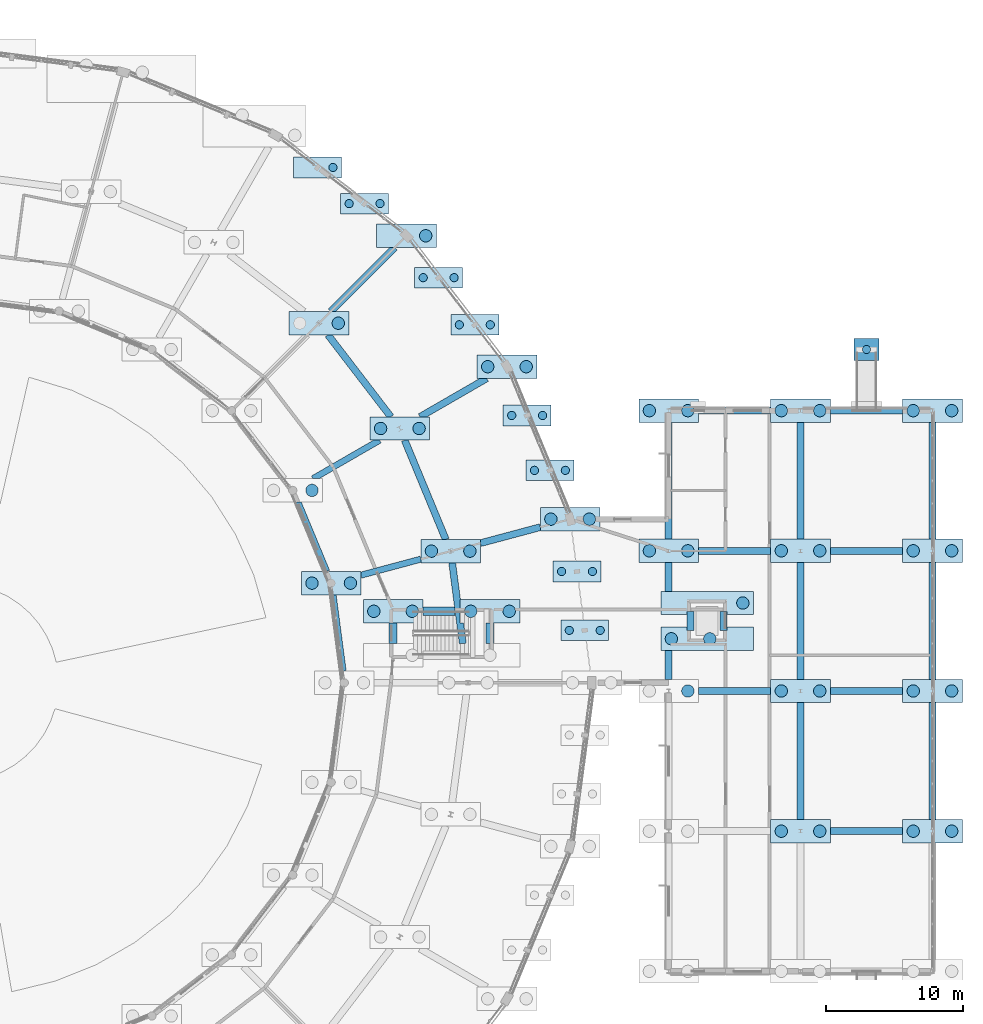
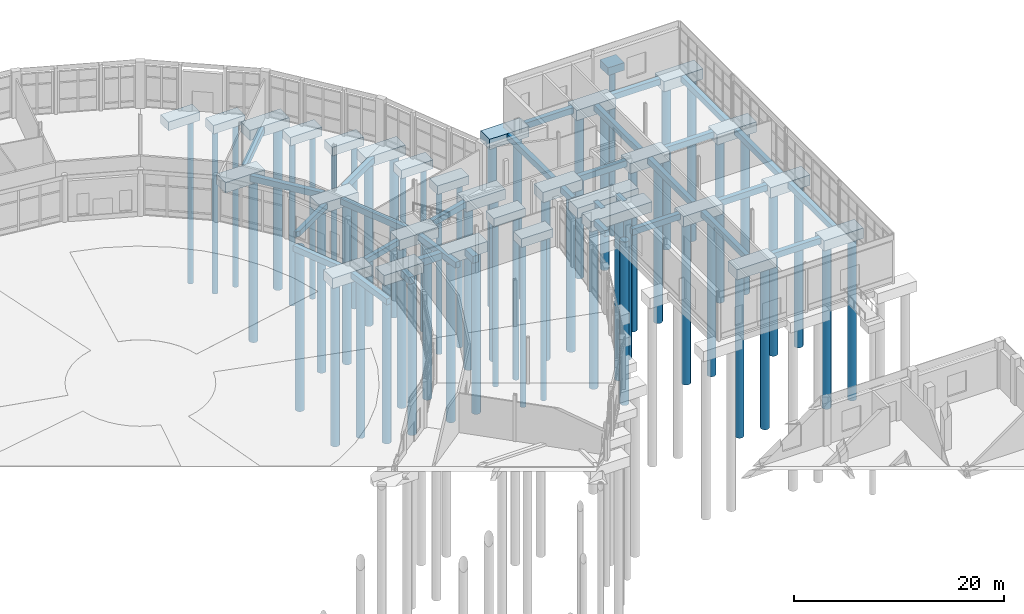
# One storey, part 5 of 137: 61 footings, 57 piles.
"""IFC4 building model written with IfcOpenShell, lengths in metres."""

import ifcopenshell
import ifcopenshell.guid

model = None  # the IFC model being written
_history = None  # IfcOwnerHistory: only IFC2X3 demands one
_inside = {}  # id of a spatial element -> (the spatial element, [elements in it])
_under = {}  # id of a project, library or spatial element -> (it, [spatial elements below it])
_declared = {}  # id of a project -> (the project, [libraries it declares])
_typed = {}  # id of a type object -> (the type object, [elements of that type])
_made_of = {}  # id of a material, layer set ... -> (it, [elements and type objects made of it])


def new_model(schema):
    """Start an empty IFC model of exactly this schema.

    Asked for "IFC4X3", IfcOpenShell would pick the latest addendum, in which some entities
    have other attributes; the version numbers below select the first issue.
    IFC2X3 requires an IfcOwnerHistory on every rooted entity: one is made here for all.
    """
    global model, _history
    if schema == "IFC4X3":
        model = ifcopenshell.file(schema_version=(4, 3, 0, 0))
    else:
        model = ifcopenshell.file(schema=schema)
    _inside.clear()
    _under.clear()
    _declared.clear()
    _typed.clear()
    _made_of.clear()
    _history = None
    if model.schema == "IFC2X3":
        org = make("IfcOrganization", Name="unknown")
        user = make(
            "IfcPersonAndOrganization",
            ThePerson=make("IfcPerson", FamilyName="unknown"),
            TheOrganization=org,
        )
        app = make(
            "IfcApplication",
            ApplicationDeveloper=org,
            Version="unknown",
            ApplicationFullName="unknown",
            ApplicationIdentifier="unknown",
        )
        _history = make(
            "IfcOwnerHistory",
            OwningUser=user,
            OwningApplication=app,
            ChangeAction="ADDED",
            CreationDate=0,
        )
    return model


def make(cls, **values):
    """One entity of the class cls with the attributes given. An attribute that is None is left unset."""
    return model.create_entity(
        cls, **{name: value for name, value in values.items() if value is not None}
    )


def rooted(cls, **values):
    """An entity with a GlobalId (a new one), such as an element, a storey or a relation."""
    return make(cls, GlobalId=ifcopenshell.guid.new(), OwnerHistory=_history, **values)


def si_unit(unit_type, name, prefix=None):
    """IfcSIUnit, for example si_unit("LENGTHUNIT", "METRE", prefix="MILLI")."""
    return make("IfcSIUnit", UnitType=unit_type, Prefix=prefix, Name=name)


def assignment(units):
    """IfcUnitAssignment: the units of a project."""
    return None if units is None else make("IfcUnitAssignment", Units=units)


def point(xyz):
    """IfcCartesianPoint."""
    return None if xyz is None else make("IfcCartesianPoint", Coordinates=xyz)


def direction(xyz):
    """IfcDirection."""
    return None if xyz is None else make("IfcDirection", DirectionRatios=xyz)


def frame(location, z_axis=None, x_axis=None):
    """IfcAxis2Placement3D, a coordinate frame: its origin and axes. An axis left out is left unset."""
    return make(
        "IfcAxis2Placement3D",
        Location=point(location),
        Axis=direction(z_axis),
        RefDirection=direction(x_axis),
    )


def frame_2d(location, x_axis=None):
    """IfcAxis2Placement2D, a coordinate frame in the plane: its origin and x axis."""
    return make(
        "IfcAxis2Placement2D", Location=point(location), RefDirection=direction(x_axis)
    )


def origin():
    """The frame at (0, 0, 0) with its axes left unset."""
    return frame((0.0, 0.0, 0.0))


def origin_2d():
    """The frame at (0, 0) in the plane with its x axis left unset."""
    return frame_2d((0.0, 0.0))


def place(relative_to, where):
    """IfcLocalPlacement: puts the frame where relative to a parent placement (None: the world)."""
    return make(
        "IfcLocalPlacement", PlacementRelTo=relative_to, RelativePlacement=where
    )


def context(
    kind, dimensions, precision=None, world=None, true_north=None, identifier=None
):
    """IfcGeometricRepresentationContext, for example the 3D "Model" context."""
    return make(
        "IfcGeometricRepresentationContext",
        ContextIdentifier=identifier,
        ContextType=kind,
        CoordinateSpaceDimension=dimensions,
        Precision=precision,
        WorldCoordinateSystem=world,
        TrueNorth=true_north,
    )


def subcontext(parent, identifier, kind, view, scale=None):
    """IfcGeometricRepresentationSubContext, for example "Body" below "Model"."""
    return make(
        "IfcGeometricRepresentationSubContext",
        ContextIdentifier=identifier,
        ContextType=kind,
        ParentContext=parent,
        TargetScale=scale,
        TargetView=view,
    )


def project(units=None, contexts=None):
    """IfcProject with its units and contexts."""
    return rooted(
        "IfcProject",
        Name="project",
        RepresentationContexts=contexts,
        UnitsInContext=assignment(units),
    )


def spatial(cls, under=None, at=None, **own):
    """A site, building, storey or space (cls), placed at a placement, below another one or the project."""
    s = rooted(cls, ObjectPlacement=at, **own)
    if under is not None:
        _under.setdefault(under.id(), (under, []))[1].append(s)
    return s


def polyline(points):
    """IfcPolyline through the points."""
    return make("IfcPolyline", Points=[point(p) for p in points])


def profile(cls, at=None, kind="AREA", **sizes):
    """A parametric profile (cls). Its sizes go by their IFC names, for example OverallWidth=200.0."""
    return make(cls, ProfileType=kind, Position=at, **sizes)


def rectangle(**sizes):
    """IfcRectangleProfileDef."""
    return profile("IfcRectangleProfileDef", **sizes)


def circle(**sizes):
    """IfcCircleProfileDef."""
    return profile("IfcCircleProfileDef", **sizes)


def outline(outer, holes=None, kind="AREA"):
    """IfcArbitraryClosedProfileDef: a profile drawn as a closed curve; with holes, ...WithVoids."""
    if holes is None:
        return make("IfcArbitraryClosedProfileDef", ProfileType=kind, OuterCurve=outer)
    return make(
        "IfcArbitraryProfileDefWithVoids",
        ProfileType=kind,
        OuterCurve=outer,
        InnerCurves=holes,
    )


def extrude(swept, where, along, depth):
    """IfcExtrudedAreaSolid: the profile swept, set in the frame where, extruded along a direction by depth."""
    return make(
        "IfcExtrudedAreaSolid",
        SweptArea=swept,
        Position=where,
        ExtrudedDirection=direction(along),
        Depth=depth,
    )


def shape(context_of_items, identifier, shape_type, items):
    """IfcShapeRepresentation: the items that make up one representation, for example the "Body"."""
    return make(
        "IfcShapeRepresentation",
        ContextOfItems=context_of_items,
        RepresentationIdentifier=identifier,
        RepresentationType=shape_type,
        Items=items,
    )


def material(Name=None, Category=None):
    """IfcMaterial."""
    return make("IfcMaterial", Name=Name, Category=Category)


def material_profile(
    of_material, cross_section, Name=None, Category=None, Priority=None
):
    """IfcMaterialProfile: a cross section and its material."""
    return make(
        "IfcMaterialProfile",
        Name=Name,
        Material=of_material,
        Profile=cross_section,
        Priority=Priority,
        Category=Category,
    )


def profile_set(profiles, Name=None, composite=None):
    """IfcMaterialProfileSet."""
    return make(
        "IfcMaterialProfileSet",
        Name=Name,
        MaterialProfiles=profiles,
        CompositeProfile=composite,
    )


def made_of(thing, what):
    """Note that an element or type object is made of a material, layer set ...; save() writes the relation."""
    if what is not None:
        _made_of.setdefault(what.id(), (what, []))[1].append(thing)
    return thing


def type_object(cls, material=None, **own):
    """A type object (cls), such as IfcWallType, which elements share."""
    return made_of(rooted(cls, **own), material)


def element(
    cls,
    number,
    at=None,
    inside=None,
    cuts=None,
    type_object=None,
    material=None,
    context=None,
    identifier="Body",
    shape_type=None,
    held_by="IfcProductDefinitionShape",
    body=None,
    shapes=None,
    **own,
):
    """One element of the class cls, such as IfcWall. Its Tag is "e" and its number.

    at: its placement. inside: the storey or other place that contains it. cuts: it is an
    opening in that element (IfcRelVoidsElement). A single representation is given by context,
    identifier, shape_type and body (its items); several are given by shapes. held_by: the class
    of the entity that holds the representations. save() writes the other relations.
    """
    e = rooted(cls, Tag="e%d" % number, ObjectPlacement=at, **own)
    if body is not None:
        shapes = [shape(context, identifier, shape_type, body)]
    if shapes is not None:
        e.Representation = make(held_by, Representations=shapes)
    if inside is not None:
        _inside.setdefault(inside.id(), (inside, []))[1].append(e)
    if cuts is not None:
        rooted(
            "IfcRelVoidsElement", RelatingBuildingElement=cuts, RelatedOpeningElement=e
        )
    if type_object is not None:
        _typed.setdefault(type_object.id(), (type_object, []))[1].append(e)
    return made_of(e, material)


def aggregate(whole, parts):
    """IfcRelAggregates: a whole, such as a stair, and the parts it consists of."""
    return rooted("IfcRelAggregates", RelatingObject=whole, RelatedObjects=parts)


def save(model, path):
    """Write the relations noted so far, then the file.

    IfcRelAggregates (storeys below a building ...), IfcRelContainedInSpatialStructure (elements
    in a storey), IfcRelDefinesByType, IfcRelAssociatesMaterial and IfcRelDeclares: one each for
    every whole, place, type object, material and project.
    """
    for whole, parts in _under.values():
        aggregate(whole, parts)
    for where, things in _inside.values():
        rooted(
            "IfcRelContainedInSpatialStructure",
            RelatedElements=things,
            RelatingStructure=where,
        )
    for kind, things in _typed.values():
        rooted("IfcRelDefinesByType", RelatedObjects=things, RelatingType=kind)
    for what, things in _made_of.values():
        rooted("IfcRelAssociatesMaterial", RelatedObjects=things, RelatingMaterial=what)
    for by, libraries in _declared.values():
        rooted("IfcRelDeclares", RelatingContext=by, RelatedDefinitions=libraries)
    model.write(path)


model = new_model("IFC4")

# Units and contexts
model_context = context("Model", 3, precision=1e-05, world=origin(), true_north=direction((0.0, 1.0)))
body_context = subcontext(model_context, "Body", "Model", "MODEL_VIEW")
ifc_project = project(units=[si_unit("LENGTHUNIT", "METRE"), si_unit("AREAUNIT", "SQUARE_METRE"), si_unit("VOLUMEUNIT", "CUBIC_METRE"), si_unit("PLANEANGLEUNIT", "RADIAN"), si_unit("MASSUNIT", "GRAM", prefix="KILO")], contexts=[model_context])

# Site, building, storey
site_placement = place(None, origin())
site = spatial("IfcSite", under=ifc_project, at=site_placement, CompositionType="ELEMENT")
building_placement = place(site_placement, origin())
building = spatial("IfcBuilding", under=site, at=building_placement, Name="Vondelvale Polytechnic", CompositionType="ELEMENT")
storey_placement = place(building_placement, origin())
storey = spatial("IfcBuildingStorey", under=building, at=storey_placement, Name="L00", CompositionType="ELEMENT", Elevation=0.0)

# Footings
ifc_material = material(Name="Concrete N40 (f'c = 40 MPa)", Category="concrete")
footing_type_1 = type_object("IfcFootingType", Name="GB-450x650", PredefinedType="FOOTING_BEAM", material=ifc_material)
footing_1_placement = place(storey_placement, frame((0.0, 0.0, -1.050048828125)))
element("IfcFooting", 1, at=footing_1_placement, inside=storey, type_object=footing_type_1, Name="Ground tie beam GB-073", PredefinedType="FOOTING_BEAM", context=body_context, shape_type="SweptSolid", body=[
    extrude(outline(polyline([(131.274169921875, 79.611083984375), (131.216064453125, 79.828369140625), (131.216064453125, 80.061279296875), (135.5107421875, 81.212158203125), (135.569091796875, 80.994873046875), (135.569091796875, 80.76171875), (131.274169921875, 79.611083984375)])), origin(), (0.0, 0.0, 1.0), 0.650146484375),
])
footing_2_placement = place(storey_placement, frame((0.0, 0.0, -1.050048828125)))
element("IfcFooting", 2, at=footing_2_placement, inside=storey, type_object=footing_type_1, Name="Ground tie beam GB-075", PredefinedType="FOOTING_BEAM", context=body_context, shape_type="SweptSolid", body=[
    extrude(outline(polyline([(132.68310546875, 89.455078125), (128.1708984375, 86.85009765625), (127.720947265625, 86.85009765625), (127.6083984375, 87.044921875), (132.12060546875, 89.64990234375), (132.57080078125, 89.64990234375), (132.68310546875, 89.455078125)])), origin(), (0.0, 0.0, 1.0), 0.650146484375),
])
footing_type_2 = type_object("IfcFootingType", Name="GB-500x700", PredefinedType="FOOTING_BEAM", material=ifc_material)
footing_3_placement = place(storey_placement, frame((0.0, 0.0, -1.10009765625)))
element("IfcFooting", 3, at=footing_3_placement, inside=storey, type_object=footing_type_2, Name="Ground tie beam GB-074", PredefinedType="FOOTING_BEAM", context=body_context, shape_type="SweptSolid", body=[
    extrude(outline(polyline([(139.9736328125, 81.916259765625), (139.908935546875, 82.15771484375), (139.908935546875, 82.41650390625), (144.1982421875, 83.56591796875), (144.262939453125, 83.32421875), (144.262939453125, 83.0654296875), (139.9736328125, 81.916259765625)])), origin(), (0.0, 0.0, 1.0), 0.7001953125),
])
footing_4_placement = place(storey_placement, frame((0.0, 0.0, -1.10009765625)))
element("IfcFooting", 4, at=footing_4_placement, inside=storey, type_object=footing_type_2, Name="Ground tie beam GB-076", PredefinedType="FOOTING_BEAM", context=body_context, shape_type="SweptSolid", body=[
    extrude(outline(polyline([(140.489990234375, 93.93359375), (136.01513671875, 91.35009765625), (135.51513671875, 91.35009765625), (135.39013671875, 91.56640625), (139.864990234375, 94.14990234375), (140.364990234375, 94.14990234375), (140.489990234375, 93.93359375)])), origin(), (0.0, 0.0, 1.0), 0.7001953125),
])
footing_5_placement = place(storey_placement, frame((0.0, 0.0, -1.10009765625)))
element("IfcFooting", 5, at=footing_5_placement, inside=storey, type_object=footing_type_2, Name="Ground tie beam GB-078", PredefinedType="FOOTING_BEAM", context=body_context, shape_type="SweptSolid", body=[
    extrude(outline(polyline([(133.853759765625, 103.500244140625), (129.36669921875, 99.012939453125), (129.012939453125, 99.012939453125), (128.836181640625, 99.189697265625), (133.323486328125, 103.677001953125), (133.677001953125, 103.677001953125), (133.853759765625, 103.500244140625)])), origin(), (0.0, 0.0, 1.0), 0.7001953125),
])
footing_6_placement = place(storey_placement, frame((0.0, 0.0, -1.10009765625)))
element("IfcFooting", 6, at=footing_6_placement, inside=storey, type_object=footing_type_2, Name="Ground tie beam GB-118", PredefinedType="FOOTING_BEAM", context=body_context, shape_type="SweptSolid", body=[
    extrude(outline(polyline([(130.135986328125, 72.882568359375), (129.88818359375, 72.85009765625), (129.635986328125, 72.85009765625), (128.909912109375, 78.364501953125), (129.15771484375, 78.39697265625), (129.409912109375, 78.39697265625), (130.135986328125, 72.882568359375)])), origin(), (0.0, 0.0, 1.0), 0.7001953125),
])
footing_7_placement = place(storey_placement, frame((0.0, 0.0, -1.10009765625)))
element("IfcFooting", 7, at=footing_7_placement, inside=storey, type_object=footing_type_2, Name="Ground tie beam GB-119", PredefinedType="FOOTING_BEAM", context=body_context, shape_type="SweptSolid", body=[
    extrude(outline(polyline([(138.872802734375, 74.882568359375), (138.624755859375, 74.85009765625), (138.429931640625, 74.85009765625), (138.429931640625, 74.824462890625), (138.376953125, 74.8173828125), (137.603515625, 80.693359375), (137.851318359375, 80.72607421875), (138.103515625, 80.72607421875), (138.455810546875, 78.050048828125), (138.429931640625, 78.050048828125), (138.429931640625, 76.35009765625), (138.679443359375, 76.35009765625), (138.872802734375, 74.882568359375)])), origin(), (0.0, 0.0, 1.0), 0.7001953125),
])
footing_8_placement = place(storey_placement, frame((0.0, 0.0, -1.10009765625)))
element("IfcFooting", 8, at=footing_8_placement, inside=storey, type_object=footing_type_2, Name="Ground tie beam GB-120", PredefinedType="FOOTING_BEAM", context=body_context, shape_type="SweptSolid", body=[
    extrude(outline(polyline([(128.9248046875, 80.192626953125), (128.69384765625, 80.096923828125), (128.423095703125, 80.096923828125), (126.369873046875, 85.05419921875), (126.600830078125, 85.14990234375), (126.871337890625, 85.14990234375), (128.9248046875, 80.192626953125)])), origin(), (0.0, 0.0, 1.0), 0.7001953125),
])
footing_9_placement = place(storey_placement, frame((0.0, 0.0, -1.10009765625)))
element("IfcFooting", 9, at=footing_9_placement, inside=storey, type_object=footing_type_2, Name="Ground tie beam GB-121", PredefinedType="FOOTING_BEAM", context=body_context, shape_type="SweptSolid", body=[
    extrude(outline(polyline([(137.618408203125, 82.521728515625), (137.38720703125, 82.426025390625), (137.11669921875, 82.426025390625), (134.1640625, 89.55419921875), (134.39501953125, 89.64990234375), (134.66552734375, 89.64990234375), (137.618408203125, 82.521728515625)])), origin(), (0.0, 0.0, 1.0), 0.7001953125),
])
footing_10_placement = place(storey_placement, frame((0.0, 0.0, -1.10009765625)))
element("IfcFooting", 10, at=footing_10_placement, inside=storey, type_object=footing_type_2, Name="Ground tie beam GB-123", PredefinedType="FOOTING_BEAM", context=body_context, shape_type="SweptSolid", body=[
    extrude(outline(polyline([(133.589111328125, 91.502197265625), (133.390625, 91.35009765625), (133.07568359375, 91.35009765625), (128.616943359375, 97.160888671875), (128.815185546875, 97.31298828125), (129.13037109375, 97.31298828125), (133.589111328125, 91.502197265625)])), origin(), (0.0, 0.0, 1.0), 0.7001953125),
])
footing_11_placement = place(storey_placement, frame((0.0, 0.0, -1.10009765625)))
element("IfcFooting", 11, at=footing_11_placement, inside=storey, type_object=footing_type_2, Name="Ground tie beam GB-164", PredefinedType="FOOTING_BEAM", context=body_context, shape_type="SweptSolid", body=[
    extrude(outline(polyline([(165.3701171875, 60.949951171875), (165.3701171875, 61.449951171875), (170.6298828125, 61.449951171875), (170.6298828125, 60.949951171875), (165.3701171875, 60.949951171875)])), origin(), (0.0, 0.0, 1.0), 0.7001953125),
])
footing_12_placement = place(storey_placement, frame((0.0, 0.0, -1.10009765625)))
element("IfcFooting", 12, at=footing_12_placement, inside=storey, type_object=footing_type_2, Name="Ground tie beam GB-165", PredefinedType="FOOTING_BEAM", context=body_context, shape_type="SweptSolid", body=[
    extrude(outline(polyline([(155.77001953125, 71.14990234375), (155.77001953125, 71.64990234375), (161.030029296875, 71.64990234375), (161.030029296875, 71.14990234375), (155.77001953125, 71.14990234375)])), origin(), (0.0, 0.0, 1.0), 0.7001953125),
])
footing_13_placement = place(storey_placement, frame((0.0, 0.0, -1.10009765625)))
element("IfcFooting", 13, at=footing_13_placement, inside=storey, type_object=footing_type_2, Name="Ground tie beam GB-166", PredefinedType="FOOTING_BEAM", context=body_context, shape_type="SweptSolid", body=[
    extrude(outline(polyline([(165.3701171875, 71.14990234375), (165.3701171875, 71.64990234375), (170.6298828125, 71.64990234375), (170.6298828125, 71.14990234375), (165.3701171875, 71.14990234375)])), origin(), (0.0, 0.0, 1.0), 0.7001953125),
])
footing_14_placement = place(storey_placement, frame((0.0, 0.0, -1.10009765625)))
element("IfcFooting", 14, at=footing_14_placement, inside=storey, type_object=footing_type_2, Name="Ground tie beam GB-167", PredefinedType="FOOTING_BEAM", context=body_context, shape_type="SweptSolid", body=[
    extrude(outline(polyline([(155.77001953125, 81.35009765625), (155.77001953125, 81.85009765625), (161.030029296875, 81.85009765625), (161.030029296875, 81.35009765625), (155.77001953125, 81.35009765625)])), origin(), (0.0, 0.0, 1.0), 0.7001953125),
])
footing_15_placement = place(storey_placement, frame((0.0, 0.0, -1.10009765625)))
element("IfcFooting", 15, at=footing_15_placement, inside=storey, type_object=footing_type_2, Name="Ground tie beam GB-168", PredefinedType="FOOTING_BEAM", context=body_context, shape_type="SweptSolid", body=[
    extrude(outline(polyline([(165.3701171875, 81.35009765625), (165.3701171875, 81.85009765625), (170.6298828125, 81.85009765625), (170.6298828125, 81.35009765625), (165.3701171875, 81.35009765625)])), origin(), (0.0, 0.0, 1.0), 0.7001953125),
])
footing_16_placement = place(storey_placement, frame((0.0, 0.0, -1.10009765625)))
element("IfcFooting", 16, at=footing_16_placement, inside=storey, type_object=footing_type_2, Name="Ground tie beam GB-169", PredefinedType="FOOTING_BEAM", context=body_context, shape_type="SweptSolid", body=[
    extrude(outline(polyline([(155.77001953125, 91.550048828125), (155.77001953125, 92.050048828125), (161.030029296875, 92.050048828125), (161.030029296875, 91.550048828125), (155.77001953125, 91.550048828125)])), origin(), (0.0, 0.0, 1.0), 0.7001953125),
])
footing_17_placement = place(storey_placement, frame((0.0, 0.0, -1.10009765625)))
element("IfcFooting", 17, at=footing_17_placement, inside=storey, type_object=footing_type_2, Name="Ground tie beam GB-170", PredefinedType="FOOTING_BEAM", context=body_context, shape_type="SweptSolid", body=[
    extrude(outline(polyline([(165.3701171875, 91.550048828125), (165.3701171875, 92.050048828125), (170.6298828125, 92.050048828125), (170.6298828125, 91.550048828125), (165.3701171875, 91.550048828125)])), origin(), (0.0, 0.0, 1.0), 0.7001953125),
])
footing_18_placement = place(storey_placement, frame((0.0, 0.0, -1.10009765625)))
element("IfcFooting", 18, at=footing_18_placement, inside=storey, type_object=footing_type_2, Name="Ground tie beam GB-173", PredefinedType="FOOTING_BEAM", context=body_context, shape_type="SweptSolid", body=[
    extrude(outline(polyline([(153.85009765625, 72.25), (153.35009765625, 72.25), (153.35009765625, 74.35009765625), (153.85009765625, 74.35009765625), (153.85009765625, 72.25)])), origin(), (0.0, 0.0, 1.0), 0.7001953125),
])
footing_19_placement = place(storey_placement, frame((0.0, 0.0, -1.10009765625)))
element("IfcFooting", 19, at=footing_19_placement, inside=storey, type_object=footing_type_2, Name="Ground tie beam GB-174", PredefinedType="FOOTING_BEAM", context=body_context, shape_type="SweptSolid", body=[
    extrude(outline(polyline([(153.85009765625, 78.64990234375), (153.35009765625, 78.64990234375), (153.35009765625, 80.75), (153.85009765625, 80.75), (153.85009765625, 78.64990234375)])), origin(), (0.0, 0.0, 1.0), 0.7001953125),
])
footing_20_placement = place(storey_placement, frame((0.0, 0.0, -1.10009765625)))
element("IfcFooting", 20, at=footing_20_placement, inside=storey, type_object=footing_type_2, Name="Ground tie beam GB-175", PredefinedType="FOOTING_BEAM", context=body_context, shape_type="SweptSolid", body=[
    extrude(outline(polyline([(153.85009765625, 82.449951171875), (153.35009765625, 82.449951171875), (153.35009765625, 90.949951171875), (153.85009765625, 90.949951171875), (153.85009765625, 82.449951171875)])), origin(), (0.0, 0.0, 1.0), 0.7001953125),
])
footing_21_placement = place(storey_placement, frame((0.0, 0.0, -1.10009765625)))
element("IfcFooting", 21, at=footing_21_placement, inside=storey, type_object=footing_type_2, Name="Ground tie beam GB-177", PredefinedType="FOOTING_BEAM", context=body_context, shape_type="SweptSolid", body=[
    extrude(outline(polyline([(163.449951171875, 62.050048828125), (162.949951171875, 62.050048828125), (162.949951171875, 70.550048828125), (163.449951171875, 70.550048828125), (163.449951171875, 62.050048828125)])), origin(), (0.0, 0.0, 1.0), 0.7001953125),
])
footing_22_placement = place(storey_placement, frame((0.0, 0.0, -1.10009765625)))
element("IfcFooting", 22, at=footing_22_placement, inside=storey, type_object=footing_type_2, Name="Ground tie beam GB-178", PredefinedType="FOOTING_BEAM", context=body_context, shape_type="SweptSolid", body=[
    extrude(outline(polyline([(163.449951171875, 72.25), (162.949951171875, 72.25), (162.949951171875, 80.75), (163.449951171875, 80.75), (163.449951171875, 72.25)])), origin(), (0.0, 0.0, 1.0), 0.7001953125),
])
footing_23_placement = place(storey_placement, frame((0.0, 0.0, -1.10009765625)))
element("IfcFooting", 23, at=footing_23_placement, inside=storey, type_object=footing_type_2, Name="Ground tie beam GB-179", PredefinedType="FOOTING_BEAM", context=body_context, shape_type="SweptSolid", body=[
    extrude(outline(polyline([(163.449951171875, 82.449951171875), (162.949951171875, 82.449951171875), (162.949951171875, 90.949951171875), (163.449951171875, 90.949951171875), (163.449951171875, 82.449951171875)])), origin(), (0.0, 0.0, 1.0), 0.7001953125),
])
footing_24_placement = place(storey_placement, frame((0.0, 0.0, -1.10009765625)))
element("IfcFooting", 24, at=footing_24_placement, inside=storey, type_object=footing_type_2, Name="Ground tie beam GB-181", PredefinedType="FOOTING_BEAM", context=body_context, shape_type="SweptSolid", body=[
    extrude(outline(polyline([(173.050048828125, 62.050048828125), (172.550048828125, 62.050048828125), (172.550048828125, 70.550048828125), (173.050048828125, 70.550048828125), (173.050048828125, 62.050048828125)])), origin(), (0.0, 0.0, 1.0), 0.7001953125),
])
footing_25_placement = place(storey_placement, frame((0.0, 0.0, -1.10009765625)))
element("IfcFooting", 25, at=footing_25_placement, inside=storey, type_object=footing_type_2, Name="Ground tie beam GB-182", PredefinedType="FOOTING_BEAM", context=body_context, shape_type="SweptSolid", body=[
    extrude(outline(polyline([(173.050048828125, 72.25), (172.550048828125, 72.25), (172.550048828125, 80.75), (173.050048828125, 80.75), (173.050048828125, 72.25)])), origin(), (0.0, 0.0, 1.0), 0.7001953125),
])
footing_26_placement = place(storey_placement, frame((0.0, 0.0, -1.10009765625)))
element("IfcFooting", 26, at=footing_26_placement, inside=storey, type_object=footing_type_2, Name="Ground tie beam GB-183", PredefinedType="FOOTING_BEAM", context=body_context, shape_type="SweptSolid", body=[
    extrude(outline(polyline([(173.050048828125, 82.449951171875), (172.550048828125, 82.449951171875), (172.550048828125, 90.949951171875), (173.050048828125, 90.949951171875), (173.050048828125, 82.449951171875)])), origin(), (0.0, 0.0, 1.0), 0.7001953125),
])
for number, where, z_axis, x_axis, name in (
    (27, (155.199951171875, 76.5, -1.2001953125), (0.0, 0.0, 1.0), (1.0, 0.0, 0.0), "Lift pit edge ground beam PL-04-W"),
    (28, (157.60009765625, 76.5, -1.2001953125), (0.0, 0.0, 1.0), (1.0, 0.0, 0.0), "Lift pit edge ground beam PL-04-E"),
):
    element("IfcFooting", number, at=place(storey_placement, frame(where, z_axis=z_axis, x_axis=x_axis)), inside=storey, type_object=footing_type_2, Name=name, PredefinedType="FOOTING_BEAM", context=body_context, shape_type="SweptSolid", body=[
        extrude(rectangle(XDim=0.5, YDim=1.39990234375, at=origin_2d()), origin(), (0.0, 0.0, 1.0), 0.699951171875),
    ])
footing_type_3 = type_object("IfcFootingType", Name="GB-600x800", PredefinedType="FOOTING_BEAM", material=ifc_material)
footing_27_placement = place(storey_placement, frame((0.0, 0.0, -1.199951171875)))
element("IfcFooting", 29, at=footing_27_placement, inside=storey, type_object=footing_type_3, Name="Ground tie beam GB-211", PredefinedType="FOOTING_BEAM", context=body_context, shape_type="SweptSolid", body=[
    extrude(outline(polyline([(140.89990234375, 74.85009765625), (140.300048828125, 74.85009765625), (140.300048828125, 76.35009765625), (140.89990234375, 76.35009765625), (140.89990234375, 74.85009765625)])), origin(), (0.0, 0.0, 1.0), 0.800048828125),
])
footing_28_placement = place(storey_placement, frame((0.0, 0.0, -1.199951171875)))
element("IfcFooting", 30, at=footing_28_placement, inside=storey, type_object=footing_type_3, Name="Ground tie beam GB-212", PredefinedType="FOOTING_BEAM", context=body_context, shape_type="SweptSolid", body=[
    extrude(outline(polyline([(138.023681640625, 77.5), (138.063232421875, 77.199951171875), (138.063232421875, 76.89990234375), (135.719970703125, 76.89990234375), (135.719970703125, 77.5), (138.023681640625, 77.5)])), origin(), (0.0, 0.0, 1.0), 0.800048828125),
])
footing_29_placement = place(storey_placement, frame((0.0, 0.0, -1.199951171875)))
element("IfcFooting", 31, at=footing_29_placement, inside=storey, type_object=footing_type_3, Name="Ground tie beam GB-213", PredefinedType="FOOTING_BEAM", context=body_context, shape_type="SweptSolid", body=[
    extrude(outline(polyline([(133.25, 76.35009765625), (133.85009765625, 76.35009765625), (133.85009765625, 74.85009765625), (133.25, 74.85009765625), (133.25, 76.35009765625)])), origin(), (0.0, 0.0, 1.0), 0.800048828125),
])
footing_type_4 = type_object("IfcFootingType", Name="PC-1800x1600x900", PredefinedType="PILE_CAP", material=ifc_material)
footing_30_placement = place(storey_placement, frame((168.0, 96.25, -1.179931640625), z_axis=(0.0, 0.0, 1.0), x_axis=(1.0, 0.0, 0.0)))
element("IfcFooting", 32, at=footing_30_placement, inside=storey, type_object=footing_type_4, Name="Pile cap PCR-RMP-06", PredefinedType="PILE_CAP", context=body_context, shape_type="SweptSolid", body=[
    extrude(rectangle(XDim=1.800048828125, YDim=1.60009765625, at=origin_2d()), origin(), (0.0, 0.0, 1.0), 0.89990234375),
])
footing_type_5 = type_object("IfcFootingType", Name="PC-3490x1500x1000", PredefinedType="PILE_CAP", material=ifc_material)
for number, where, z_axis, x_axis, name in (
    (33, (128.049072265625, 109.498046875, -1.39990234375), (0.0, 0.0, 1.0), (1.0, 0.0, 0.0), "Pile cap PC-185"),
    (34, (131.47802734375, 106.865966796875, -1.39990234375), (0.0, 0.0, 1.0), (1.0, 0.0, 0.0), "Pile cap PC-192"),
    (35, (136.865966796875, 101.47802734375, -1.39990234375), (0.0, 0.0, 1.0), (1.0, 0.0, 0.0), "Pile cap PC-203"),
    (36, (139.498046875, 98.049072265625, -1.39990234375), (0.0, 0.0, 1.0), (1.0, 0.0, 0.0), "Pile cap PC-209"),
    (37, (143.30810546875, 91.449951171875, -1.39990234375), (0.0, 0.0, 1.0), (1.0, 0.0, 0.0), "Pile cap PC-215"),
    (38, (144.9619140625, 87.4560546875, -1.39990234375), (0.0, 0.0, 1.0), (1.0, 0.0, 0.0), "Pile cap PC-220"),
    (39, (146.93408203125, 80.095947265625, -1.39990234375), (0.0, 0.0, 1.0), (1.0, 0.0, 0.0), "Pile cap PC-224"),
    (40, (147.498046875, 75.81005859375, -1.39990234375), (0.0, 0.0, 1.0), (1.0, 0.0, 0.0), "Pile cap PC-226"),
):
    element("IfcFooting", number, at=place(storey_placement, frame(where, z_axis=z_axis, x_axis=x_axis)), inside=storey, type_object=footing_type_5, Name=name, PredefinedType="PILE_CAP", context=body_context, shape_type="SweptSolid", body=[
        extrude(rectangle(XDim=3.489990234375, YDim=1.5, at=origin_2d()), origin(), (0.0, 0.0, 1.0), 1.0),
    ])
footing_type_6 = type_object("IfcFootingType", Name="PC-4340x1700x1200", PredefinedType="PILE_CAP", material=ifc_material)
for number, where, z_axis, x_axis, name in (
    (41, (128.1630859375, 98.1630859375, -1.60009765625), (0.0, 0.0, 1.0), (1.0, 0.0, 0.0), "Pile cap PC-187"),
    (42, (129.0458984375, 79.2470703125, -1.60009765625), (0.0, 0.0, 1.0), (1.0, 0.0, 0.0), "Pile cap PC-189"),
    (43, (133.550048828125, 77.199951171875, -1.60009765625), (0.0, 0.0, 1.0), (1.0, 0.0, 0.0), "Pile cap PC-194"),
    (44, (134.04296875, 90.5, -1.60009765625), (0.0, 0.0, 1.0), (1.0, 0.0, 0.0), "Pile cap PC-196"),
    (45, (134.527099609375, 104.527099609375, -1.60009765625), (0.0, 0.0, 1.0), (1.0, 0.0, 0.0), "Pile cap PC-201"),
    (46, (137.739013671875, 81.575927734375, -1.60009765625), (0.0, 0.0, 1.0), (1.0, 0.0, 0.0), "Pile cap PC-205"),
    (47, (140.60009765625, 77.199951171875, -1.60009765625), (0.0, 0.0, 1.0), (1.0, 0.0, 0.0), "Pile cap PC-211"),
    (48, (141.8369140625, 95.0, -1.60009765625), (0.0, 0.0, 1.0), (1.0, 0.0, 0.0), "Pile cap PC-213"),
    (49, (146.43310546875, 83.906005859375, -1.60009765625), (0.0, 0.0, 1.0), (1.0, 0.0, 0.0), "Pile cap PC-222"),
    (50, (153.60009765625, 81.60009765625, -1.60009765625), (0.0, 0.0, 1.0), (1.0, 0.0, 0.0), "Pile cap PC-235"),
    (51, (153.60009765625, 91.800048828125, -1.60009765625), (0.0, 0.0, 1.0), (1.0, 0.0, 0.0), "Pile cap PC-236"),
    (52, (163.199951171875, 61.199951171875, -1.60009765625), (0.0, 0.0, 1.0), (1.0, 0.0, 0.0), "Pile cap PC-242"),
    (53, (163.199951171875, 71.39990234375, -1.60009765625), (0.0, 0.0, 1.0), (1.0, 0.0, 0.0), "Pile cap PC-243"),
    (54, (163.199951171875, 81.60009765625, -1.60009765625), (0.0, 0.0, 1.0), (1.0, 0.0, 0.0), "Pile cap PC-244"),
    (55, (163.199951171875, 91.800048828125, -1.60009765625), (0.0, 0.0, 1.0), (1.0, 0.0, 0.0), "Pile cap PC-245"),
    (56, (172.800048828125, 61.199951171875, -1.60009765625), (0.0, 0.0, 1.0), (1.0, 0.0, 0.0), "Pile cap PC-251"),
    (57, (172.800048828125, 71.39990234375, -1.60009765625), (0.0, 0.0, 1.0), (1.0, 0.0, 0.0), "Pile cap PC-252"),
    (58, (172.800048828125, 81.60009765625, -1.60009765625), (0.0, 0.0, 1.0), (1.0, 0.0, 0.0), "Pile cap PC-253"),
    (59, (172.800048828125, 91.800048828125, -1.60009765625), (0.0, 0.0, 1.0), (1.0, 0.0, 0.0), "Pile cap PC-254"),
):
    element("IfcFooting", number, at=place(storey_placement, frame(where, z_axis=z_axis, x_axis=x_axis)), inside=storey, type_object=footing_type_6, Name=name, PredefinedType="PILE_CAP", context=body_context, shape_type="SweptSolid", body=[
        extrude(rectangle(XDim=4.340087890625, YDim=1.699951171875, at=origin_2d()), origin(), (0.0, 0.0, 1.0), 1.199951171875),
    ])
footing_type_7 = type_object("IfcFootingType", Name="PC-6740x1700x1200", PredefinedType="PILE_CAP", material=ifc_material)
for number, where, z_axis, x_axis, name in (
    (60, (156.39990234375, 75.199951171875, -1.7001953125), (0.0, 0.0, 1.0), (1.0, 0.0, 0.0), "Pile cap PC-237"),
    (61, (156.39990234375, 77.800048828125, -1.7001953125), (0.0, 0.0, 1.0), (1.0, 0.0, 0.0), "Pile cap PC-238"),
):
    element("IfcFooting", number, at=place(storey_placement, frame(where, z_axis=z_axis, x_axis=x_axis)), inside=storey, type_object=footing_type_7, Name=name, PredefinedType="PILE_CAP", context=body_context, shape_type="SweptSolid", body=[
        extrude(rectangle(XDim=6.739990234375, YDim=1.699951171875, at=origin_2d()), origin(), (0.0, 0.0, 1.0), 1.199951171875),
    ])

# Piles
ifc_material_profile_1 = material_profile(ifc_material, circle(Radius=0.300048828125, at=origin_2d()), Name="PILE-D600")
ifc_profile_set_1 = profile_set([ifc_material_profile_1], Name="Concrete N40 (f'c = 40 MPa)")
pile_type_1 = type_object("IfcPileType", Name="PILE-BORED-600", PredefinedType="BORED", material=ifc_profile_set_1)
for number, where, z_axis, x_axis, name in (
    (62, (129.174072265625, 109.498046875, -1.25), (0.0, 0.0, -1.0), (1.0, 0.0, 0.0), "Bored pile BP-600-185-1"),
    (63, (130.35302734375, 106.865966796875, -1.25), (0.0, 0.0, -1.0), (1.0, 0.0, 0.0), "Bored pile BP-600-192-1"),
    (64, (132.60302734375, 106.865966796875, -1.25), (0.0, 0.0, -1.0), (1.0, 0.0, 0.0), "Bored pile BP-600-192-2"),
    (65, (135.740966796875, 101.47802734375, -1.25), (0.0, 0.0, -1.0), (1.0, 0.0, 0.0), "Bored pile BP-600-203-1"),
    (66, (137.990966796875, 101.47802734375, -1.25), (0.0, 0.0, -1.0), (1.0, 0.0, 0.0), "Bored pile BP-600-203-2"),
    (67, (138.373046875, 98.049072265625, -1.25), (0.0, 0.0, -1.0), (1.0, 0.0, 0.0), "Bored pile BP-600-209-1"),
    (68, (140.623046875, 98.049072265625, -1.25), (0.0, 0.0, -1.0), (1.0, 0.0, 0.0), "Bored pile BP-600-209-2"),
    (69, (142.18310546875, 91.449951171875, -1.25), (0.0, 0.0, -1.0), (1.0, 0.0, 0.0), "Bored pile BP-600-215-1"),
    (70, (144.43310546875, 91.449951171875, -1.25), (0.0, 0.0, -1.0), (1.0, 0.0, 0.0), "Bored pile BP-600-215-2"),
    (71, (143.8369140625, 87.4560546875, -1.25), (0.0, 0.0, -1.0), (1.0, 0.0, 0.0), "Bored pile BP-600-220-1"),
    (72, (146.0869140625, 87.4560546875, -1.25), (0.0, 0.0, -1.0), (1.0, 0.0, 0.0), "Bored pile BP-600-220-2"),
    (73, (145.80908203125, 80.095947265625, -1.25), (0.0, 0.0, -1.0), (1.0, 0.0, 0.0), "Bored pile BP-600-224-1"),
    (74, (148.05908203125, 80.095947265625, -1.25), (0.0, 0.0, -1.0), (1.0, 0.0, 0.0), "Bored pile BP-600-224-2"),
    (75, (146.373046875, 75.81005859375, -1.25), (0.0, 0.0, -1.0), (1.0, 0.0, 0.0), "Bored pile BP-600-226-1"),
    (76, (148.623046875, 75.81005859375, -1.25), (0.0, 0.0, -1.0), (1.0, 0.0, 0.0), "Bored pile BP-600-226-2"),
):
    element("IfcPile", number, at=place(storey_placement, frame(where, z_axis=z_axis, x_axis=x_axis)), inside=storey, type_object=pile_type_1, Name=name, PredefinedType="BORED", context=body_context, shape_type="SweptSolid", body=[
        extrude(circle(Radius=0.300048828125, at=origin_2d()), origin(), (0.0, 0.0, 1.0), 19.25),
    ])
pile_placement = place(storey_placement, frame((168.0, 96.25, -1.030029296875), z_axis=(0.0, 0.0, -1.0), x_axis=(1.0, 0.0, 0.0)))
element("IfcPile", 77, at=pile_placement, inside=storey, type_object=pile_type_1, Name="Bored pile BPR-RMP-06", PredefinedType="BORED", context=body_context, shape_type="SweptSolid", body=[
    extrude(circle(Radius=0.300048828125, at=origin_2d()), origin(), (0.0, 0.0, 1.0), 19.469970703125),
])
ifc_material_profile_2 = material_profile(ifc_material, circle(Radius=0.449951171875, at=origin_2d()), Name="PILE-D900")
ifc_profile_set_2 = profile_set([ifc_material_profile_2], Name="Concrete N40 (f'c = 40 MPa)")
pile_type_2 = type_object("IfcPileType", Name="PILE-BORED-900", PredefinedType="BORED", material=ifc_profile_set_2)
for number, where, z_axis, x_axis, name in (
    (78, (127.64892578125, 86.0, -1.449951171875), (0.0, 0.0, -1.0), (1.0, 0.0, 0.0), "Bored pile BP-900-183-2"),
    (79, (129.56298828125, 98.1630859375, -1.449951171875), (0.0, 0.0, -1.0), (1.0, 0.0, 0.0), "Bored pile BP-900-187-2"),
    (80, (127.64599609375, 79.2470703125, -1.449951171875), (0.0, 0.0, -1.0), (1.0, 0.0, 0.0), "Bored pile BP-900-189-1"),
    (81, (130.446044921875, 79.2470703125, -1.449951171875), (0.0, 0.0, -1.0), (1.0, 0.0, 0.0), "Bored pile BP-900-189-2"),
    (82, (132.14990234375, 77.199951171875, -1.449951171875), (0.0, 0.0, -1.0), (1.0, 0.0, 0.0), "Bored pile BP-900-194-1"),
    (83, (134.949951171875, 77.199951171875, -1.449951171875), (0.0, 0.0, -1.0), (1.0, 0.0, 0.0), "Bored pile BP-900-194-2"),
    (84, (132.64306640625, 90.5, -1.449951171875), (0.0, 0.0, -1.0), (1.0, 0.0, 0.0), "Bored pile BP-900-196-1"),
    (85, (135.443115234375, 90.5, -1.449951171875), (0.0, 0.0, -1.0), (1.0, 0.0, 0.0), "Bored pile BP-900-196-2"),
    (86, (135.927001953125, 104.527099609375, -1.449951171875), (0.0, 0.0, -1.0), (1.0, 0.0, 0.0), "Bored pile BP-900-201-1"),
    (87, (136.339111328125, 81.575927734375, -1.449951171875), (0.0, 0.0, -1.0), (1.0, 0.0, 0.0), "Bored pile BP-900-205-1"),
    (88, (139.138916015625, 81.575927734375, -1.449951171875), (0.0, 0.0, -1.0), (1.0, 0.0, 0.0), "Bored pile BP-900-205-2"),
    (89, (139.199951171875, 77.199951171875, -1.449951171875), (0.0, 0.0, -1.0), (1.0, 0.0, 0.0), "Bored pile BP-900-211-1"),
    (90, (142.0, 77.199951171875, -1.449951171875), (0.0, 0.0, -1.0), (1.0, 0.0, 0.0), "Bored pile BP-900-211-2"),
    (91, (140.43701171875, 95.0, -1.449951171875), (0.0, 0.0, -1.0), (1.0, 0.0, 0.0), "Bored pile BP-900-213-1"),
    (92, (143.237060546875, 95.0, -1.449951171875), (0.0, 0.0, -1.0), (1.0, 0.0, 0.0), "Bored pile BP-900-213-2"),
    (93, (145.032958984375, 83.906005859375, -1.449951171875), (0.0, 0.0, -1.0), (1.0, 0.0, 0.0), "Bored pile BP-900-222-1"),
    (94, (147.8330078125, 83.906005859375, -1.449951171875), (0.0, 0.0, -1.0), (1.0, 0.0, 0.0), "Bored pile BP-900-222-2"),
    (95, (155.0, 71.39990234375, -1.449951171875), (0.0, 0.0, -1.0), (1.0, 0.0, 0.0), "Bored pile BP-900-234-2"),
    (96, (152.199951171875, 81.60009765625, -1.449951171875), (0.0, 0.0, -1.0), (1.0, 0.0, 0.0), "Bored pile BP-900-235-1"),
    (97, (155.0, 81.60009765625, -1.449951171875), (0.0, 0.0, -1.0), (1.0, 0.0, 0.0), "Bored pile BP-900-235-2"),
    (98, (152.199951171875, 91.800048828125, -1.449951171875), (0.0, 0.0, -1.0), (1.0, 0.0, 0.0), "Bored pile BP-900-236-1"),
    (99, (155.0, 91.800048828125, -1.449951171875), (0.0, 0.0, -1.0), (1.0, 0.0, 0.0), "Bored pile BP-900-236-2"),
):
    element("IfcPile", number, at=place(storey_placement, frame(where, z_axis=z_axis, x_axis=x_axis)), inside=storey, type_object=pile_type_2, Name=name, PredefinedType="BORED", context=body_context, shape_type="SweptSolid", body=[
        extrude(circle(Radius=0.449951171875, at=origin_2d()), origin(), (0.0, 0.0, 1.0), 19.050048828125),
    ])
for number, where, z_axis, x_axis, name in (
    (100, (153.800048828125, 75.199951171875, -1.550048828125), (0.0, 0.0, -1.0), (1.0, 0.0, 0.0), "Bored pile BP-900-237-1"),
    (101, (156.60009765625, 75.199951171875, -1.550048828125), (0.0, 0.0, -1.0), (1.0, 0.0, 0.0), "Bored pile BP-900-237-2"),
    (102, (159.0, 77.800048828125, -1.550048828125), (0.0, 0.0, -1.0), (1.0, 0.0, 0.0), "Bored pile BP-900-238-1"),
):
    element("IfcPile", number, at=place(storey_placement, frame(where, z_axis=z_axis, x_axis=x_axis)), inside=storey, type_object=pile_type_2, Name=name, PredefinedType="BORED", context=body_context, shape_type="SweptSolid", body=[
        extrude(circle(Radius=0.449951171875, at=origin_2d()), origin(), (0.0, 0.0, 1.0), 18.949951171875),
    ])
for number, where, z_axis, x_axis, name in (
    (103, (161.800048828125, 61.199951171875, -1.449951171875), (0.0, 0.0, -1.0), (1.0, 0.0, 0.0), "Bored pile BP-900-242-1"),
    (104, (164.60009765625, 61.199951171875, -1.449951171875), (0.0, 0.0, -1.0), (1.0, 0.0, 0.0), "Bored pile BP-900-242-2"),
    (105, (161.800048828125, 71.39990234375, -1.449951171875), (0.0, 0.0, -1.0), (1.0, 0.0, 0.0), "Bored pile BP-900-243-1"),
    (106, (164.60009765625, 71.39990234375, -1.449951171875), (0.0, 0.0, -1.0), (1.0, 0.0, 0.0), "Bored pile BP-900-243-2"),
    (107, (161.800048828125, 81.60009765625, -1.449951171875), (0.0, 0.0, -1.0), (1.0, 0.0, 0.0), "Bored pile BP-900-244-1"),
    (108, (164.60009765625, 81.60009765625, -1.449951171875), (0.0, 0.0, -1.0), (1.0, 0.0, 0.0), "Bored pile BP-900-244-2"),
    (109, (161.800048828125, 91.800048828125, -1.449951171875), (0.0, 0.0, -1.0), (1.0, 0.0, 0.0), "Bored pile BP-900-245-1"),
    (110, (164.60009765625, 91.800048828125, -1.449951171875), (0.0, 0.0, -1.0), (1.0, 0.0, 0.0), "Bored pile BP-900-245-2"),
    (111, (171.39990234375, 61.199951171875, -1.449951171875), (0.0, 0.0, -1.0), (1.0, 0.0, 0.0), "Bored pile BP-900-251-1"),
    (112, (174.199951171875, 61.199951171875, -1.449951171875), (0.0, 0.0, -1.0), (1.0, 0.0, 0.0), "Bored pile BP-900-251-2"),
    (113, (171.39990234375, 71.39990234375, -1.449951171875), (0.0, 0.0, -1.0), (1.0, 0.0, 0.0), "Bored pile BP-900-252-1"),
    (114, (174.199951171875, 71.39990234375, -1.449951171875), (0.0, 0.0, -1.0), (1.0, 0.0, 0.0), "Bored pile BP-900-252-2"),
    (115, (171.39990234375, 81.60009765625, -1.449951171875), (0.0, 0.0, -1.0), (1.0, 0.0, 0.0), "Bored pile BP-900-253-1"),
    (116, (174.199951171875, 81.60009765625, -1.449951171875), (0.0, 0.0, -1.0), (1.0, 0.0, 0.0), "Bored pile BP-900-253-2"),
    (117, (171.39990234375, 91.800048828125, -1.449951171875), (0.0, 0.0, -1.0), (1.0, 0.0, 0.0), "Bored pile BP-900-254-1"),
    (118, (174.199951171875, 91.800048828125, -1.449951171875), (0.0, 0.0, -1.0), (1.0, 0.0, 0.0), "Bored pile BP-900-254-2"),
):
    element("IfcPile", number, at=place(storey_placement, frame(where, z_axis=z_axis, x_axis=x_axis)), inside=storey, type_object=pile_type_2, Name=name, PredefinedType="BORED", context=body_context, shape_type="SweptSolid", body=[
        extrude(circle(Radius=0.449951171875, at=origin_2d()), origin(), (0.0, 0.0, 1.0), 19.050048828125),
    ])

save(model, "model.ifc")
